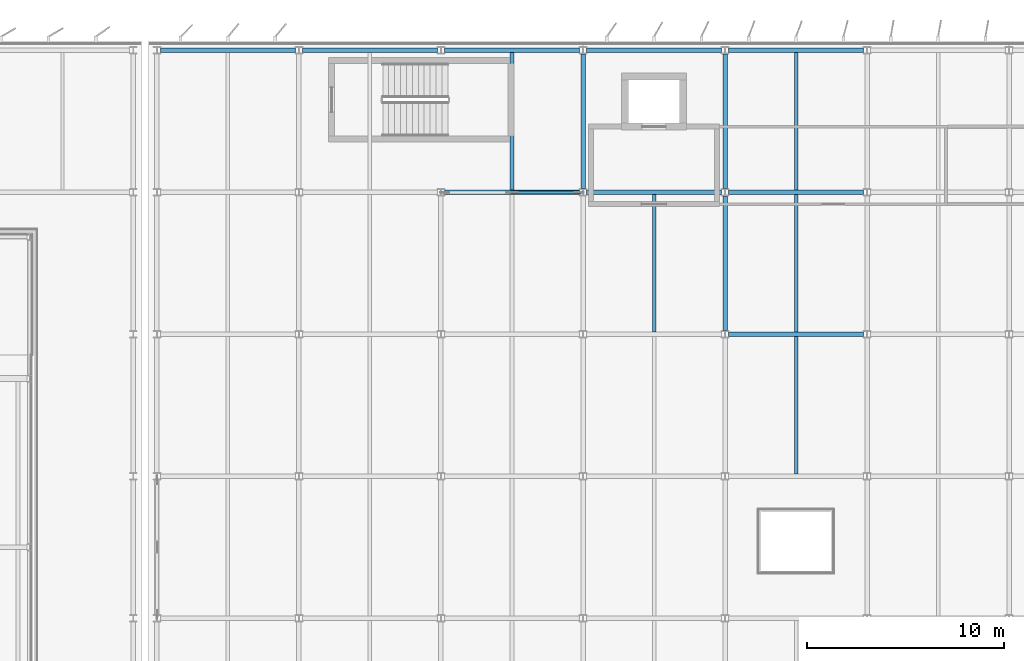
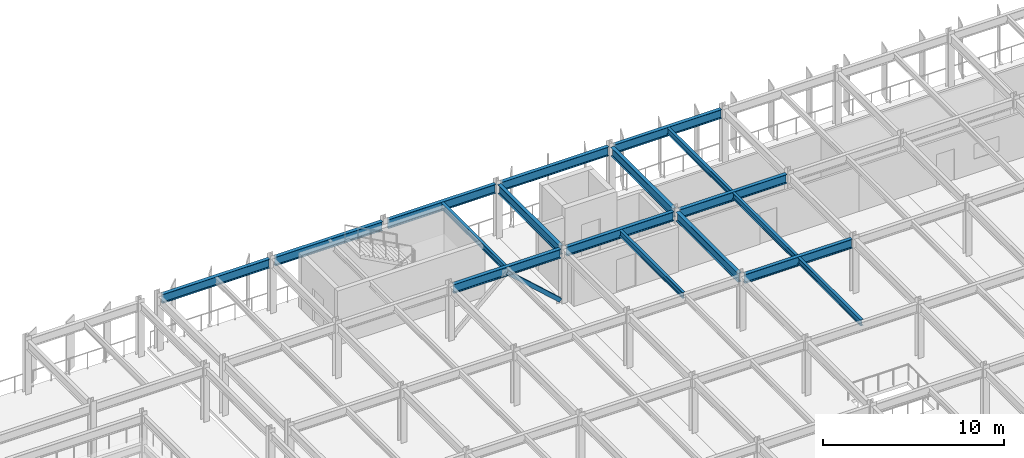
# One storey, part 17 of 52: 17 beams, 1 member.
"""IFC4 building model written with IfcOpenShell, lengths in metres."""

import ifcopenshell
import ifcopenshell.guid

model = None  # the IFC model being written
_history = None  # IfcOwnerHistory: only IFC2X3 demands one
_inside = {}  # id of a spatial element -> (the spatial element, [elements in it])
_under = {}  # id of a project, library or spatial element -> (it, [spatial elements below it])
_declared = {}  # id of a project -> (the project, [libraries it declares])
_typed = {}  # id of a type object -> (the type object, [elements of that type])
_made_of = {}  # id of a material, layer set ... -> (it, [elements and type objects made of it])


def new_model(schema):
    """Start an empty IFC model of exactly this schema.

    Asked for "IFC4X3", IfcOpenShell would pick the latest addendum, in which some entities
    have other attributes; the version numbers below select the first issue.
    IFC2X3 requires an IfcOwnerHistory on every rooted entity: one is made here for all.
    """
    global model, _history
    if schema == "IFC4X3":
        model = ifcopenshell.file(schema_version=(4, 3, 0, 0))
    else:
        model = ifcopenshell.file(schema=schema)
    _inside.clear()
    _under.clear()
    _declared.clear()
    _typed.clear()
    _made_of.clear()
    _history = None
    if model.schema == "IFC2X3":
        org = make("IfcOrganization", Name="unknown")
        user = make(
            "IfcPersonAndOrganization",
            ThePerson=make("IfcPerson", FamilyName="unknown"),
            TheOrganization=org,
        )
        app = make(
            "IfcApplication",
            ApplicationDeveloper=org,
            Version="unknown",
            ApplicationFullName="unknown",
            ApplicationIdentifier="unknown",
        )
        _history = make(
            "IfcOwnerHistory",
            OwningUser=user,
            OwningApplication=app,
            ChangeAction="ADDED",
            CreationDate=0,
        )
    return model


def make(cls, **values):
    """One entity of the class cls with the attributes given. An attribute that is None is left unset."""
    return model.create_entity(
        cls, **{name: value for name, value in values.items() if value is not None}
    )


def rooted(cls, **values):
    """An entity with a GlobalId (a new one), such as an element, a storey or a relation."""
    return make(cls, GlobalId=ifcopenshell.guid.new(), OwnerHistory=_history, **values)


def si_unit(unit_type, name, prefix=None):
    """IfcSIUnit, for example si_unit("LENGTHUNIT", "METRE", prefix="MILLI")."""
    return make("IfcSIUnit", UnitType=unit_type, Prefix=prefix, Name=name)


def assignment(units):
    """IfcUnitAssignment: the units of a project."""
    return None if units is None else make("IfcUnitAssignment", Units=units)


def point(xyz):
    """IfcCartesianPoint."""
    return None if xyz is None else make("IfcCartesianPoint", Coordinates=xyz)


def direction(xyz):
    """IfcDirection."""
    return None if xyz is None else make("IfcDirection", DirectionRatios=xyz)


def frame(location, z_axis=None, x_axis=None):
    """IfcAxis2Placement3D, a coordinate frame: its origin and axes. An axis left out is left unset."""
    return make(
        "IfcAxis2Placement3D",
        Location=point(location),
        Axis=direction(z_axis),
        RefDirection=direction(x_axis),
    )


def frame_2d(location, x_axis=None):
    """IfcAxis2Placement2D, a coordinate frame in the plane: its origin and x axis."""
    return make(
        "IfcAxis2Placement2D", Location=point(location), RefDirection=direction(x_axis)
    )


def origin():
    """The frame at (0, 0, 0) with its axes left unset."""
    return frame((0.0, 0.0, 0.0))


def origin_2d():
    """The frame at (0, 0) in the plane with its x axis left unset."""
    return frame_2d((0.0, 0.0))


def place(relative_to, where):
    """IfcLocalPlacement: puts the frame where relative to a parent placement (None: the world)."""
    return make(
        "IfcLocalPlacement", PlacementRelTo=relative_to, RelativePlacement=where
    )


def context(
    kind, dimensions, precision=None, world=None, true_north=None, identifier=None
):
    """IfcGeometricRepresentationContext, for example the 3D "Model" context."""
    return make(
        "IfcGeometricRepresentationContext",
        ContextIdentifier=identifier,
        ContextType=kind,
        CoordinateSpaceDimension=dimensions,
        Precision=precision,
        WorldCoordinateSystem=world,
        TrueNorth=true_north,
    )


def subcontext(parent, identifier, kind, view, scale=None):
    """IfcGeometricRepresentationSubContext, for example "Body" below "Model"."""
    return make(
        "IfcGeometricRepresentationSubContext",
        ContextIdentifier=identifier,
        ContextType=kind,
        ParentContext=parent,
        TargetScale=scale,
        TargetView=view,
    )


def project(units=None, contexts=None):
    """IfcProject with its units and contexts."""
    return rooted(
        "IfcProject",
        Name="project",
        RepresentationContexts=contexts,
        UnitsInContext=assignment(units),
    )


def spatial(cls, under=None, at=None, **own):
    """A site, building, storey or space (cls), placed at a placement, below another one or the project."""
    s = rooted(cls, ObjectPlacement=at, **own)
    if under is not None:
        _under.setdefault(under.id(), (under, []))[1].append(s)
    return s


def profile(cls, at=None, kind="AREA", **sizes):
    """A parametric profile (cls). Its sizes go by their IFC names, for example OverallWidth=200.0."""
    return make(cls, ProfileType=kind, Position=at, **sizes)


def hollow_rectangle(**sizes):
    """IfcRectangleHollowProfileDef."""
    return profile("IfcRectangleHollowProfileDef", **sizes)


def i_section(**sizes):
    """IfcIShapeProfileDef."""
    return profile("IfcIShapeProfileDef", **sizes)


def extrude(swept, where, along, depth):
    """IfcExtrudedAreaSolid: the profile swept, set in the frame where, extruded along a direction by depth."""
    return make(
        "IfcExtrudedAreaSolid",
        SweptArea=swept,
        Position=where,
        ExtrudedDirection=direction(along),
        Depth=depth,
    )


def shape(context_of_items, identifier, shape_type, items):
    """IfcShapeRepresentation: the items that make up one representation, for example the "Body"."""
    return make(
        "IfcShapeRepresentation",
        ContextOfItems=context_of_items,
        RepresentationIdentifier=identifier,
        RepresentationType=shape_type,
        Items=items,
    )


def material(Name=None, Category=None):
    """IfcMaterial."""
    return make("IfcMaterial", Name=Name, Category=Category)


def material_profile(
    of_material, cross_section, Name=None, Category=None, Priority=None
):
    """IfcMaterialProfile: a cross section and its material."""
    return make(
        "IfcMaterialProfile",
        Name=Name,
        Material=of_material,
        Profile=cross_section,
        Priority=Priority,
        Category=Category,
    )


def profile_set(profiles, Name=None, composite=None):
    """IfcMaterialProfileSet."""
    return make(
        "IfcMaterialProfileSet",
        Name=Name,
        MaterialProfiles=profiles,
        CompositeProfile=composite,
    )


def made_of(thing, what):
    """Note that an element or type object is made of a material, layer set ...; save() writes the relation."""
    if what is not None:
        _made_of.setdefault(what.id(), (what, []))[1].append(thing)
    return thing


def type_object(cls, material=None, **own):
    """A type object (cls), such as IfcWallType, which elements share."""
    return made_of(rooted(cls, **own), material)


def element(
    cls,
    number,
    at=None,
    inside=None,
    cuts=None,
    type_object=None,
    material=None,
    context=None,
    identifier="Body",
    shape_type=None,
    held_by="IfcProductDefinitionShape",
    body=None,
    shapes=None,
    **own,
):
    """One element of the class cls, such as IfcWall. Its Tag is "e" and its number.

    at: its placement. inside: the storey or other place that contains it. cuts: it is an
    opening in that element (IfcRelVoidsElement). A single representation is given by context,
    identifier, shape_type and body (its items); several are given by shapes. held_by: the class
    of the entity that holds the representations. save() writes the other relations.
    """
    e = rooted(cls, Tag="e%d" % number, ObjectPlacement=at, **own)
    if body is not None:
        shapes = [shape(context, identifier, shape_type, body)]
    if shapes is not None:
        e.Representation = make(held_by, Representations=shapes)
    if inside is not None:
        _inside.setdefault(inside.id(), (inside, []))[1].append(e)
    if cuts is not None:
        rooted(
            "IfcRelVoidsElement", RelatingBuildingElement=cuts, RelatedOpeningElement=e
        )
    if type_object is not None:
        _typed.setdefault(type_object.id(), (type_object, []))[1].append(e)
    return made_of(e, material)


def aggregate(whole, parts):
    """IfcRelAggregates: a whole, such as a stair, and the parts it consists of."""
    return rooted("IfcRelAggregates", RelatingObject=whole, RelatedObjects=parts)


def save(model, path):
    """Write the relations noted so far, then the file.

    IfcRelAggregates (storeys below a building ...), IfcRelContainedInSpatialStructure (elements
    in a storey), IfcRelDefinesByType, IfcRelAssociatesMaterial and IfcRelDeclares: one each for
    every whole, place, type object, material and project.
    """
    for whole, parts in _under.values():
        aggregate(whole, parts)
    for where, things in _inside.values():
        rooted(
            "IfcRelContainedInSpatialStructure",
            RelatedElements=things,
            RelatingStructure=where,
        )
    for kind, things in _typed.values():
        rooted("IfcRelDefinesByType", RelatedObjects=things, RelatingType=kind)
    for what, things in _made_of.values():
        rooted("IfcRelAssociatesMaterial", RelatedObjects=things, RelatingMaterial=what)
    for by, libraries in _declared.values():
        rooted("IfcRelDeclares", RelatingContext=by, RelatedDefinitions=libraries)
    model.write(path)


model = new_model("IFC4")

# Units and contexts
model_context = context("Model", 3, precision=1e-05, world=origin(), true_north=direction((0.0, 1.0)))
body_context = subcontext(model_context, "Body", "Model", "MODEL_VIEW")
ifc_project = project(units=[si_unit("LENGTHUNIT", "METRE"), si_unit("AREAUNIT", "SQUARE_METRE"), si_unit("VOLUMEUNIT", "CUBIC_METRE"), si_unit("PLANEANGLEUNIT", "RADIAN"), si_unit("MASSUNIT", "GRAM", prefix="KILO")], contexts=[model_context])

# Site, building, storey
site_placement = place(None, origin())
site = spatial("IfcSite", under=ifc_project, at=site_placement, CompositionType="ELEMENT")
building_placement = place(site_placement, origin())
building = spatial("IfcBuilding", under=site, at=building_placement, Name="Vaelcorin Mobility Hub", CompositionType="ELEMENT")
storey_placement = place(building_placement, frame((0.0, 0.0, 13.199951171875)))
storey = spatial("IfcBuildingStorey", under=building, at=storey_placement, Name="L03", CompositionType="ELEMENT", Elevation=13.199951171875)

# Beams
ifc_material_1 = material(Name="Steel ASTM A992 Grade 50", Category="steel")
ifc_material_profile_1 = material_profile(ifc_material_1, i_section(OverallWidth=0.177978515625, OverallDepth=0.404052734375, WebThickness=0.007568359375, FlangeThickness=0.010986328125, FilletRadius=0.012939453125, at=origin_2d()), Name="W16X36")
ifc_profile_set_1 = profile_set([ifc_material_profile_1], Name="Steel ASTM A992 Grade 50")
beam_type_1 = type_object("IfcBeamType", Name="BM-W16X36", PredefinedType="JOIST", material=ifc_profile_set_1)
beam_1_placement = place(storey_placement, frame((54.0, 112.912109375, 3.4580078125), z_axis=(0.0, 1.0, 0.0), x_axis=(-1.0, 0.0, 0.0)))
element("IfcBeam", 1, at=beam_1_placement, inside=storey, type_object=beam_type_1, Name="L03 Beam V4-L03-J-03-05-1", PredefinedType="JOIST", context=body_context, shape_type="SweptSolid", body=[
    extrude(i_section(OverallWidth=0.177978515625, OverallDepth=0.404052734375, WebThickness=0.007568359375, FlangeThickness=0.010986328125, FilletRadius=0.012939453125, at=origin_2d()), origin(), (0.0, 0.0, 1.0), 6.975830078125),
])
for number, where, z_axis, x_axis, name in (
    (2, (61.199951171875, 105.7119140625, 3.4580078125), (0.0, 1.0, 0.0), (-1.0, 0.0, 0.0), "L03 Beam V4-L03-J-04-04-1"),
    (3, (68.39990234375, 98.511962890625, 3.4580078125), (0.0, 1.0, 0.0), (-1.0, 0.0, 0.0), "L03 Beam V4-L03-J-05-03-1"),
    (4, (68.39990234375, 105.7119140625, 3.4580078125), (0.0, 1.0, 0.0), (-1.0, 0.0, 0.0), "L03 Beam V4-L03-J-05-04-1"),
):
    element("IfcBeam", number, at=place(storey_placement, frame(where, z_axis=z_axis, x_axis=x_axis)), inside=storey, type_object=beam_type_1, Name=name, PredefinedType="JOIST", context=body_context, shape_type="SweptSolid", body=[
        extrude(i_section(OverallWidth=0.177978515625, OverallDepth=0.404052734375, WebThickness=0.007568359375, FlangeThickness=0.010986328125, FilletRadius=0.012939453125, at=origin_2d()), origin(), (0.0, 0.0, 1.0), 6.97607421875),
    ])
beam_2_placement = place(storey_placement, frame((68.39990234375, 112.912109375, 3.4580078125), z_axis=(0.0, 1.0, 0.0), x_axis=(-1.0, 0.0, 0.0)))
element("IfcBeam", 5, at=beam_2_placement, inside=storey, type_object=beam_type_1, Name="L03 Beam V4-L03-J-05-05-1", PredefinedType="JOIST", context=body_context, shape_type="SweptSolid", body=[
    extrude(i_section(OverallWidth=0.177978515625, OverallDepth=0.404052734375, WebThickness=0.007568359375, FlangeThickness=0.010986328125, FilletRadius=0.012939453125, at=origin_2d()), origin(), (0.0, 0.0, 1.0), 6.975830078125),
])
ifc_material_profile_2 = material_profile(ifc_material_1, i_section(OverallWidth=0.22802734375, OverallDepth=0.60205078125, WebThickness=0.010498046875, FlangeThickness=0.014892578125, FilletRadius=0.014892578125, at=origin_2d()), Name="W24X68")
ifc_profile_set_2 = profile_set([ifc_material_profile_2], Name="Steel ASTM A992 Grade 50")
beam_type_2 = type_object("IfcBeamType", Name="BM-W24X68", PredefinedType="SPANDREL", material=ifc_profile_set_2)
for number, where, z_axis, x_axis, name in (
    (6, (36.18408203125, 120.0, 3.359130859375), (1.0, 0.0, 0.0), (0.0, 1.0, 0.0), "L03 Beam V4-L03-GX-06-01"),
    (7, (43.384033203125, 120.0, 3.359130859375), (1.0, 0.0, 0.0), (0.0, 1.0, 0.0), "L03 Beam V4-L03-GX-06-02"),
    (8, (50.583984375, 120.0, 3.359130859375), (1.0, 0.0, 0.0), (0.0, 1.0, 0.0), "L03 Beam V4-L03-GX-06-03"),
    (9, (57.783935546875, 120.0, 3.359130859375), (1.0, 0.0, 0.0), (0.0, 1.0, 0.0), "L03 Beam V4-L03-GX-06-04"),
):
    element("IfcBeam", number, at=place(storey_placement, frame(where, z_axis=z_axis, x_axis=x_axis)), inside=storey, type_object=beam_type_2, Name=name, PredefinedType="SPANDREL", context=body_context, shape_type="SweptSolid", body=[
        extrude(i_section(OverallWidth=0.22802734375, OverallDepth=0.60205078125, WebThickness=0.010498046875, FlangeThickness=0.014892578125, FilletRadius=0.014892578125, at=origin_2d()), origin(), (0.0, 0.0, 1.0), 6.83203125),
    ])
beam_3_placement = place(storey_placement, frame((64.98291015625, 120.0, 3.359130859375), z_axis=(1.0, 0.0, 0.0), x_axis=(0.0, 1.0, 0.0)))
element("IfcBeam", 10, at=beam_3_placement, inside=storey, type_object=beam_type_2, Name="L03 Beam V4-L03-GX-06-05", PredefinedType="SPANDREL", context=body_context, shape_type="SweptSolid", body=[
    extrude(i_section(OverallWidth=0.22802734375, OverallDepth=0.60205078125, WebThickness=0.010498046875, FlangeThickness=0.014892578125, FilletRadius=0.014892578125, at=origin_2d()), origin(), (0.0, 0.0, 1.0), 6.8330078125),
])
beam_4_placement = place(storey_placement, frame((57.60009765625, 112.98388671875, 3.359130859375), z_axis=(0.0, 1.0, 0.0), x_axis=(-1.0, 0.0, 0.0)))
element("IfcBeam", 11, at=beam_4_placement, inside=storey, type_object=beam_type_2, Name="L03 Beam V4-L03-GY-04-05", PredefinedType="SPANDREL", context=body_context, shape_type="SweptSolid", body=[
    extrude(i_section(OverallWidth=0.22802734375, OverallDepth=0.60205078125, WebThickness=0.010498046875, FlangeThickness=0.014892578125, FilletRadius=0.014892578125, at=origin_2d()), origin(), (0.0, 0.0, 1.0), 6.836181640625),
])
beam_5_placement = place(storey_placement, frame((64.800048828125, 105.780029296875, 3.359130859375), z_axis=(0.0, 1.0, 0.0), x_axis=(-1.0, 0.0, 0.0)))
element("IfcBeam", 12, at=beam_5_placement, inside=storey, type_object=beam_type_2, Name="L03 Beam V4-L03-GY-05-04", PredefinedType="SPANDREL", context=body_context, shape_type="SweptSolid", body=[
    extrude(i_section(OverallWidth=0.22802734375, OverallDepth=0.60205078125, WebThickness=0.010498046875, FlangeThickness=0.014892578125, FilletRadius=0.014892578125, at=origin_2d()), origin(), (0.0, 0.0, 1.0), 6.8359375),
])
beam_6_placement = place(storey_placement, frame((64.800048828125, 112.98388671875, 3.359130859375), z_axis=(0.0, 1.0, 0.0), x_axis=(-1.0, 0.0, 0.0)))
element("IfcBeam", 13, at=beam_6_placement, inside=storey, type_object=beam_type_2, Name="L03 Beam V4-L03-GY-05-05", PredefinedType="SPANDREL", context=body_context, shape_type="SweptSolid", body=[
    extrude(i_section(OverallWidth=0.22802734375, OverallDepth=0.60205078125, WebThickness=0.010498046875, FlangeThickness=0.014892578125, FilletRadius=0.014892578125, at=origin_2d()), origin(), (0.0, 0.0, 1.0), 6.836181640625),
])
ifc_material_profile_3 = material_profile(ifc_material_1, i_section(OverallWidth=0.22900390625, OverallDepth=0.612060546875, WebThickness=0.011962890625, FlangeThickness=0.01953125, FilletRadius=0.014892578125, at=origin_2d()), Name="W24X84")
ifc_profile_set_3 = profile_set([ifc_material_profile_3], Name="Steel ASTM A992 Grade 50")
beam_type_3 = type_object("IfcBeamType", Name="BM-W24X84", PredefinedType="BEAM", material=ifc_profile_set_3)
beam_7_placement = place(storey_placement, frame((64.98291015625, 105.60009765625, 3.35400390625), z_axis=(1.0, 0.0, 0.0), x_axis=(0.0, 1.0, 0.0)))
element("IfcBeam", 14, at=beam_7_placement, inside=storey, type_object=beam_type_3, Name="L03 Beam V4-L03-GX-04-05", PredefinedType="BEAM", context=body_context, shape_type="SweptSolid", body=[
    extrude(i_section(OverallWidth=0.22900390625, OverallDepth=0.612060546875, WebThickness=0.011962890625, FlangeThickness=0.01953125, FilletRadius=0.014892578125, at=origin_2d()), origin(), (0.0, 0.0, 1.0), 6.8330078125),
])
for number, where, z_axis, x_axis, name in (
    (15, (50.583984375, 112.800048828125, 3.35400390625), (1.0, 0.0, 0.0), (0.0, 1.0, 0.0), "L03 Beam V4-L03-GX-05-03"),
    (16, (57.783935546875, 112.800048828125, 3.35400390625), (1.0, 0.0, 0.0), (0.0, 1.0, 0.0), "L03 Beam V4-L03-GX-05-04"),
    (17, (64.98388671875, 112.800048828125, 3.35400390625), (1.0, 0.0, 0.0), (0.0, 1.0, 0.0), "L03 Beam V4-L03-GX-05-05"),
):
    element("IfcBeam", number, at=place(storey_placement, frame(where, z_axis=z_axis, x_axis=x_axis)), inside=storey, type_object=beam_type_3, Name=name, PredefinedType="BEAM", context=body_context, shape_type="SweptSolid", body=[
        extrude(i_section(OverallWidth=0.22900390625, OverallDepth=0.612060546875, WebThickness=0.011962890625, FlangeThickness=0.01953125, FilletRadius=0.014892578125, at=origin_2d()), origin(), (0.0, 0.0, 1.0), 6.83203125),
    ])

# Member
ifc_material_2 = material(Name="Steel ASTM A500 Grade C", Category="steel")
ifc_material_profile_4 = material_profile(ifc_material_2, hollow_rectangle(XDim=0.15234375, YDim=0.25390625, WallThickness=0.01171875, at=origin_2d()), Name="HSS10X6X0.500")
ifc_profile_set_4 = profile_set([ifc_material_profile_4], Name="Steel ASTM A500 Grade C")
member_type = type_object("IfcMemberType", Name="BR-SCBF-10X6", PredefinedType="BRACE", material=ifc_profile_set_4)
member_placement = place(storey_placement, frame((57.409912109375, 112.800048828125, 0.179931640625), z_axis=(-0.743169783144, 0.0, 0.669102887022), x_axis=(0.0, -1.0, 0.0)))
element("IfcMember", 18, at=member_placement, inside=storey, type_object=member_type, Name="SCBF Chevron Brace V4-BX1-L03-B", PredefinedType="BRACE", context=body_context, shape_type="SweptSolid", body=[
    extrude(hollow_rectangle(XDim=0.15234375, YDim=0.25390625, WallThickness=0.01171875, at=origin_2d()), origin(), (0.0, 0.0, 1.0), 4.58837890625),
])

save(model, "model.ifc")
